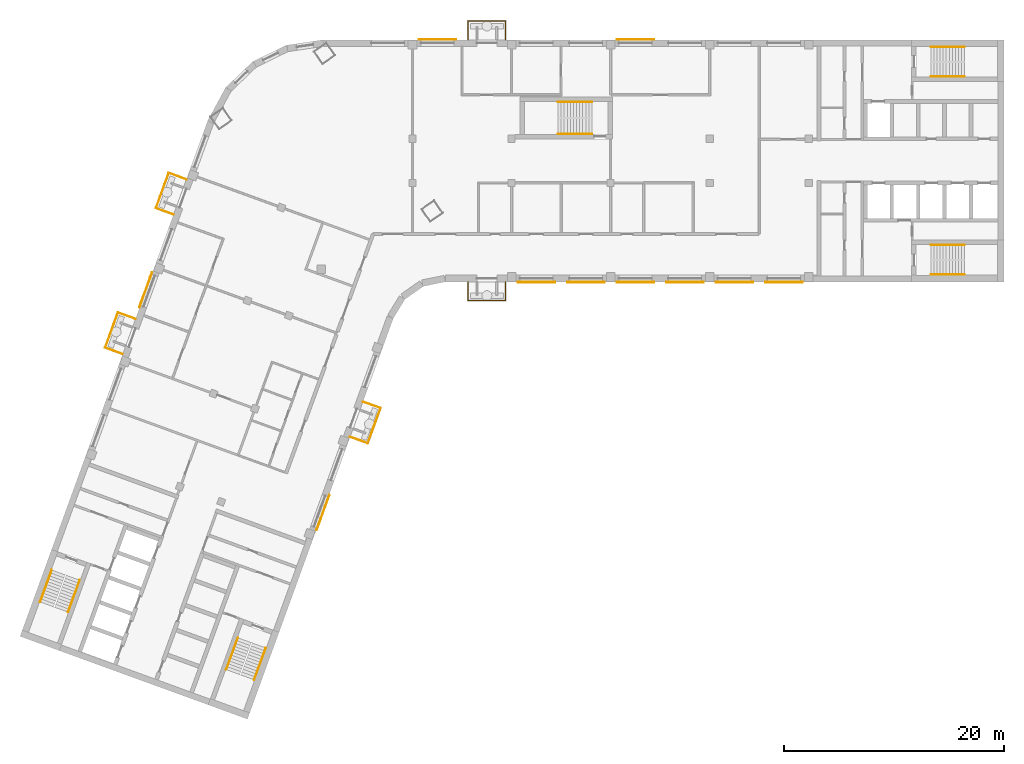
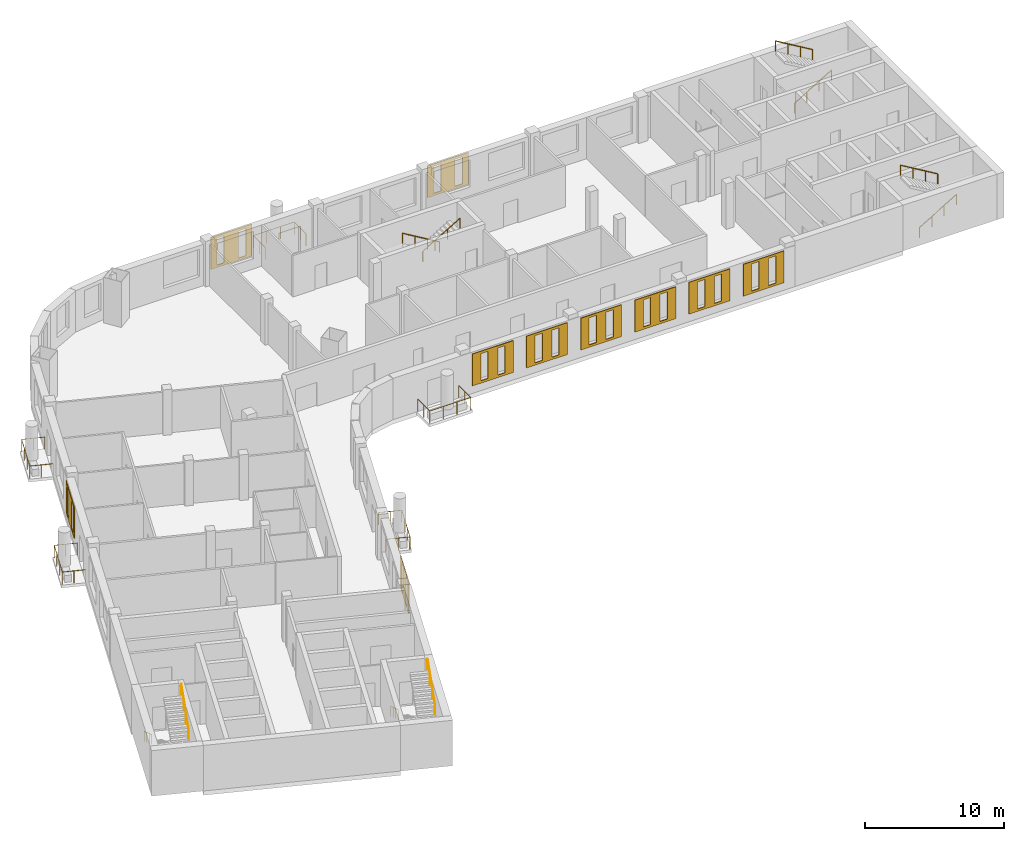
# One storey, part 8 of 10: 15 railings, 10 coverings.
"""IFC4 building model written with IfcOpenShell, lengths in metres."""

from ifc_helpers import new_model, si_unit, direction, frame, origin, origin_2d, place, context, subcontext, project, spatial, polyline, circle, outline, extrude, material, material_profile, profile_set, type_object, element, save


model = new_model("IFC4")

# Units and contexts
model_context = context("Model", 3, precision=1e-05, world=origin(), true_north=direction((0.0, 1.0)))
body_context = subcontext(model_context, "Body", "Model", "MODEL_VIEW")
ifc_project = project(units=[si_unit("LENGTHUNIT", "METRE"), si_unit("AREAUNIT", "SQUARE_METRE"), si_unit("VOLUMEUNIT", "CUBIC_METRE"), si_unit("PLANEANGLEUNIT", "RADIAN"), si_unit("MASSUNIT", "GRAM", prefix="KILO")], contexts=[model_context])

# Site, building, storey
site_placement = place(None, origin())
site = spatial("IfcSite", under=ifc_project, at=site_placement, CompositionType="ELEMENT")
building_placement = place(site_placement, origin())
building = spatial("IfcBuilding", under=site, at=building_placement, Name="Skarvind Civic Tower", CompositionType="ELEMENT")
storey_placement = place(building_placement, frame((0.0, 0.0, 178.5)))
storey = spatial("IfcBuildingStorey", under=building, at=storey_placement, Name="L42", CompositionType="ELEMENT", Elevation=178.5)

# Railings
ifc_material_1 = material(Name="Stainless steel balustrade", Category="steel")
railing_type_1 = type_object("IfcRailingType", Name="GR1 GUARD 1100", PredefinedType="GUARDRAIL", material=ifc_material_1)
railing_1_placement = place(storey_placement, frame((49.735595703125, 106.101806640625, 0.0)))
element("IfcRailing", 1, at=railing_1_placement, inside=storey, type_object=railing_type_1, Name="TREE BALCONY GUARD", PredefinedType="GUARDRAIL", context=body_context, shape_type="SweptSolid", body=[
    extrude(circle(Radius=0.02392578125, at=origin_2d()), frame((0.0, 0.0, 1.076171875), z_axis=(0.93966756638, -0.342088971896, 0.0), x_axis=(0.342088971896, 0.93966756638, 0.0)), (0.0, 0.0, 1.0), 1.699951171875),
    extrude(circle(Radius=0.02392578125, at=origin_2d()), frame((1.597412109375, -0.58154296875, 1.076171875), z_axis=(-0.342002487902, -0.939699046647, 0.0), x_axis=(0.939699046647, -0.342002487902, 0.0)), (0.0, 0.0, 1.0), 3.400146484375),
    extrude(circle(Radius=0.02392578125, at=origin_2d()), frame((0.4345703125, -3.776611328125, 1.076171875), z_axis=(-0.93966756638, 0.342088971896, 0.0), x_axis=(-0.342088971896, -0.93966756638, 0.0)), (0.0, 0.0, 1.0), 1.699951171875),
    extrude(circle(Radius=0.02099609375, at=origin_2d()), origin(), (0.0, 0.0, 1.0), 1.052001953125),
    extrude(circle(Radius=0.02099609375, at=origin_2d()), frame((0.798828125, -0.290771484375, 0.0)), (0.0, 0.0, 1.0), 1.052001953125),
    extrude(circle(Radius=0.02099609375, at=origin_2d()), frame((1.597412109375, -0.58154296875, 0.0)), (0.0, 0.0, 1.0), 1.052001953125),
    extrude(circle(Radius=0.02099609375, at=origin_2d()), frame((1.209716796875, -1.646484375, 0.0)), (0.0, 0.0, 1.0), 1.052001953125),
    extrude(circle(Radius=0.02099609375, at=origin_2d()), frame((0.822265625, -2.711669921875, 0.0)), (0.0, 0.0, 1.0), 1.052001953125),
    extrude(circle(Radius=0.02099609375, at=origin_2d()), frame((0.4345703125, -3.776611328125, 0.0)), (0.0, 0.0, 1.0), 1.052001953125),
    extrude(circle(Radius=0.02099609375, at=origin_2d()), frame((-0.3642578125, -3.48583984375, 0.0)), (0.0, 0.0, 1.0), 1.052001953125),
    extrude(circle(Radius=0.02099609375, at=origin_2d()), frame((-1.162841796875, -3.195068359375, 0.0)), (0.0, 0.0, 1.0), 1.052001953125),
])
railing_2_placement = place(storey_placement, frame((62.699951171875, 117.0, 0.0)))
element("IfcRailing", 2, at=railing_2_placement, inside=storey, type_object=railing_type_1, Name="TREE BALCONY GUARD", PredefinedType="GUARDRAIL", context=body_context, shape_type="SweptSolid", body=[
    extrude(circle(Radius=0.02392578125, at=origin_2d()), frame((0.0, 0.0, 1.076171875), z_axis=(0.0, -1.0, 0.0), x_axis=(1.0, 0.0, 0.0)), (0.0, 0.0, 1.0), 1.699951171875),
    extrude(circle(Radius=0.02392578125, at=origin_2d()), frame((0.0, -1.699951171875, 1.076171875), z_axis=(-1.0, 0.0, 0.0), x_axis=(0.0, -1.0, 0.0)), (0.0, 0.0, 1.0), 3.39990234375),
    extrude(circle(Radius=0.02392578125, at=origin_2d()), frame((-3.39990234375, -1.699951171875, 1.076171875), z_axis=(0.0, 1.0, 0.0), x_axis=(-1.0, 0.0, 0.0)), (0.0, 0.0, 1.0), 1.699951171875),
    extrude(circle(Radius=0.02099609375, at=origin_2d()), origin(), (0.0, 0.0, 1.0), 1.052001953125),
    extrude(circle(Radius=0.02099609375, at=origin_2d()), frame((0.0, -0.85009765625, 0.0)), (0.0, 0.0, 1.0), 1.052001953125),
    extrude(circle(Radius=0.02099609375, at=origin_2d()), frame((0.0, -1.699951171875, 0.0)), (0.0, 0.0, 1.0), 1.052001953125),
    extrude(circle(Radius=0.02099609375, at=origin_2d()), frame((-1.13330078125, -1.699951171875, 0.0)), (0.0, 0.0, 1.0), 1.052001953125),
    extrude(circle(Radius=0.02099609375, at=origin_2d()), frame((-2.2666015625, -1.699951171875, 0.0)), (0.0, 0.0, 1.0), 1.052001953125),
    extrude(circle(Radius=0.02099609375, at=origin_2d()), frame((-3.39990234375, -1.699951171875, 0.0)), (0.0, 0.0, 1.0), 1.052001953125),
    extrude(circle(Radius=0.02099609375, at=origin_2d()), frame((-3.39990234375, -0.85009765625, 0.0)), (0.0, 0.0, 1.0), 1.052001953125),
    extrude(circle(Radius=0.02099609375, at=origin_2d()), frame((-3.39990234375, 0.0, 0.0)), (0.0, 0.0, 1.0), 1.052001953125),
])
railing_3_placement = place(storey_placement, frame((59.300048828125, 139.0, 0.0)))
element("IfcRailing", 3, at=railing_3_placement, inside=storey, type_object=railing_type_1, Name="TREE BALCONY GUARD", PredefinedType="GUARDRAIL", context=body_context, shape_type="SweptSolid", body=[
    extrude(circle(Radius=0.02392578125, at=origin_2d()), frame((0.0, 0.0, 1.076171875), z_axis=(0.0, 1.0, 0.0), x_axis=(-1.0, 0.0, 0.0)), (0.0, 0.0, 1.0), 1.699951171875),
    extrude(circle(Radius=0.02392578125, at=origin_2d()), frame((0.0, 1.699951171875, 1.076171875), z_axis=(1.0, 0.0, 0.0), x_axis=(0.0, 1.0, 0.0)), (0.0, 0.0, 1.0), 3.39990234375),
    extrude(circle(Radius=0.02392578125, at=origin_2d()), frame((3.39990234375, 1.699951171875, 1.076171875), z_axis=(0.0, -1.0, 0.0), x_axis=(1.0, 0.0, 0.0)), (0.0, 0.0, 1.0), 1.699951171875),
    extrude(circle(Radius=0.02099609375, at=origin_2d()), origin(), (0.0, 0.0, 1.0), 1.052001953125),
    extrude(circle(Radius=0.02099609375, at=origin_2d()), frame((0.0, 0.85009765625, 0.0)), (0.0, 0.0, 1.0), 1.052001953125),
    extrude(circle(Radius=0.02099609375, at=origin_2d()), frame((0.0, 1.699951171875, 0.0)), (0.0, 0.0, 1.0), 1.052001953125),
    extrude(circle(Radius=0.02099609375, at=origin_2d()), frame((1.13330078125, 1.699951171875, 0.0)), (0.0, 0.0, 1.0), 1.052001953125),
    extrude(circle(Radius=0.02099609375, at=origin_2d()), frame((2.2666015625, 1.699951171875, 0.0)), (0.0, 0.0, 1.0), 1.052001953125),
    extrude(circle(Radius=0.02099609375, at=origin_2d()), frame((3.39990234375, 1.699951171875, 0.0)), (0.0, 0.0, 1.0), 1.052001953125),
    extrude(circle(Radius=0.02099609375, at=origin_2d()), frame((3.39990234375, 0.85009765625, 0.0)), (0.0, 0.0, 1.0), 1.052001953125),
    extrude(circle(Radius=0.02099609375, at=origin_2d()), frame((3.39990234375, 0.0, 0.0)), (0.0, 0.0, 1.0), 1.052001953125),
])
railing_4_placement = place(storey_placement, frame((27.8994140625, 110.43115234375, 0.0)))
element("IfcRailing", 4, at=railing_4_placement, inside=storey, type_object=railing_type_1, Name="TREE BALCONY GUARD", PredefinedType="GUARDRAIL", context=body_context, shape_type="SweptSolid", body=[
    extrude(circle(Radius=0.02392578125, at=origin_2d()), frame((0.0, 0.0, 1.076171875), z_axis=(-0.93966756638, 0.342088971896, 0.0), x_axis=(-0.342088971896, -0.93966756638, 0.0)), (0.0, 0.0, 1.0), 1.699951171875),
    extrude(circle(Radius=0.02392578125, at=origin_2d()), frame((-1.597412109375, 0.58154296875, 1.076171875), z_axis=(0.342025565686, 0.93969064719, 0.0), x_axis=(-0.93969064719, 0.342025565686, 0.0)), (0.0, 0.0, 1.0), 3.39990234375),
    extrude(circle(Radius=0.02392578125, at=origin_2d()), frame((-0.4345703125, 3.7763671875, 1.076171875), z_axis=(0.939730516252, -0.341916008435, 0.0), x_axis=(0.341916008435, 0.939730516252, 0.0)), (0.0, 0.0, 1.0), 1.7001953125),
    extrude(circle(Radius=0.02099609375, at=origin_2d()), origin(), (0.0, 0.0, 1.0), 1.052001953125),
    extrude(circle(Radius=0.02099609375, at=origin_2d()), frame((-0.798828125, 0.290771484375, 0.0)), (0.0, 0.0, 1.0), 1.052001953125),
    extrude(circle(Radius=0.02099609375, at=origin_2d()), frame((-1.597412109375, 0.58154296875, 0.0)), (0.0, 0.0, 1.0), 1.052001953125),
    extrude(circle(Radius=0.02099609375, at=origin_2d()), frame((-1.209716796875, 1.646484375, 0.0)), (0.0, 0.0, 1.0), 1.052001953125),
    extrude(circle(Radius=0.02099609375, at=origin_2d()), frame((-0.822265625, 2.71142578125, 0.0)), (0.0, 0.0, 1.0), 1.052001953125),
    extrude(circle(Radius=0.02099609375, at=origin_2d()), frame((-0.4345703125, 3.7763671875, 0.0)), (0.0, 0.0, 1.0), 1.052001953125),
    extrude(circle(Radius=0.02099609375, at=origin_2d()), frame((0.3642578125, 3.48583984375, 0.0)), (0.0, 0.0, 1.0), 1.052001953125),
    extrude(circle(Radius=0.02099609375, at=origin_2d()), frame((1.1630859375, 3.195068359375, 0.0)), (0.0, 0.0, 1.0), 1.052001953125),
])
railing_5_placement = place(storey_placement, frame((32.516845703125, 123.1171875, 0.0)))
element("IfcRailing", 5, at=railing_5_placement, inside=storey, type_object=railing_type_1, Name="TREE BALCONY GUARD", PredefinedType="GUARDRAIL", context=body_context, shape_type="SweptSolid", body=[
    extrude(circle(Radius=0.02392578125, at=origin_2d()), frame((0.0, 0.0, 1.076171875), z_axis=(-0.939730516252, 0.341916008435, 0.0), x_axis=(-0.341916008435, -0.939730516252, 0.0)), (0.0, 0.0, 1.0), 1.7001953125),
    extrude(circle(Radius=0.02392578125, at=origin_2d()), frame((-1.59765625, 0.581298828125, 1.076171875), z_axis=(0.342065890968, 0.939675968745, 0.0), x_axis=(-0.939675968745, 0.342065890968, 0.0)), (0.0, 0.0, 1.0), 3.400146484375),
    extrude(circle(Radius=0.02392578125, at=origin_2d()), frame((-0.4345703125, 3.7763671875, 1.076171875), z_axis=(0.93966756638, -0.342088971896, 0.0), x_axis=(0.342088971896, 0.93966756638, 0.0)), (0.0, 0.0, 1.0), 1.699951171875),
    extrude(circle(Radius=0.02099609375, at=origin_2d()), origin(), (0.0, 0.0, 1.0), 1.052001953125),
    extrude(circle(Radius=0.02099609375, at=origin_2d()), frame((-0.798828125, 0.29052734375, 0.0)), (0.0, 0.0, 1.0), 1.052001953125),
    extrude(circle(Radius=0.02099609375, at=origin_2d()), frame((-1.59765625, 0.581298828125, 0.0)), (0.0, 0.0, 1.0), 1.052001953125),
    extrude(circle(Radius=0.02099609375, at=origin_2d()), frame((-1.2099609375, 1.646240234375, 0.0)), (0.0, 0.0, 1.0), 1.052001953125),
    extrude(circle(Radius=0.02099609375, at=origin_2d()), frame((-0.822265625, 2.71142578125, 0.0)), (0.0, 0.0, 1.0), 1.052001953125),
    extrude(circle(Radius=0.02099609375, at=origin_2d()), frame((-0.4345703125, 3.7763671875, 0.0)), (0.0, 0.0, 1.0), 1.052001953125),
    extrude(circle(Radius=0.02099609375, at=origin_2d()), frame((0.3642578125, 3.485595703125, 0.0)), (0.0, 0.0, 1.0), 1.052001953125),
    extrude(circle(Radius=0.02099609375, at=origin_2d()), frame((1.162841796875, 3.19482421875, 0.0)), (0.0, 0.0, 1.0), 1.052001953125),
])
ifc_material_2 = material(Name="Painted steel handrail", Category="steel")
railing_type_2 = type_object("IfcRailingType", Name="Stair handrail 900", PredefinedType="HANDRAIL", material=ifc_material_2)
railing_6_placement = place(storey_placement, frame((101.35009765625, 135.64990234375, 0.166748046875)))
element("IfcRailing", 6, at=railing_6_placement, inside=storey, type_object=railing_type_2, Name="Stair handrail", PredefinedType="HANDRAIL", context=body_context, shape_type="SweptSolid", body=[
    extrude(circle(Radius=0.02392578125, at=origin_2d()), frame((0.0, 0.0, 0.8759765625), z_axis=(0.859290745958, 0.0, 0.51148745235), x_axis=(0.0, 1.0, 0.0)), (0.0, 0.0, 1.0), 3.584228515625),
    extrude(circle(Radius=0.02099609375, at=origin_2d()), origin(), (0.0, 0.0, 1.0), 0.851806640625),
    extrude(circle(Radius=0.02099609375, at=origin_2d()), frame((1.026611328125, 0.0, 0.611083984375)), (0.0, 0.0, 1.0), 0.851806640625),
    extrude(circle(Radius=0.02099609375, at=origin_2d()), frame((2.05322265625, 0.0, 1.22216796875)), (0.0, 0.0, 1.0), 0.851806640625),
    extrude(circle(Radius=0.02099609375, at=origin_2d()), frame((3.079833984375, 0.0, 1.833251953125)), (0.0, 0.0, 1.0), 0.851806640625),
])
railing_7_placement = place(storey_placement, frame((104.429931640625, 138.35009765625, 2.166748046875)))
element("IfcRailing", 7, at=railing_7_placement, inside=storey, type_object=railing_type_2, Name="Stair handrail", PredefinedType="HANDRAIL", context=body_context, shape_type="SweptSolid", body=[
    extrude(circle(Radius=0.02392578125, at=origin_2d()), frame((0.0, 0.0, 0.8759765625), z_axis=(-0.859290745958, 0.0, 0.51148745235), x_axis=(0.0, -1.0, 0.0)), (0.0, 0.0, 1.0), 3.584228515625),
    extrude(circle(Radius=0.02099609375, at=origin_2d()), origin(), (0.0, 0.0, 1.0), 0.851806640625),
    extrude(circle(Radius=0.02099609375, at=origin_2d()), frame((-1.026611328125, 0.0, 0.611083984375)), (0.0, 0.0, 1.0), 0.851806640625),
    extrude(circle(Radius=0.02099609375, at=origin_2d()), frame((-2.05322265625, 0.0, 1.22216796875)), (0.0, 0.0, 1.0), 0.851806640625),
    extrude(circle(Radius=0.02099609375, at=origin_2d()), frame((-3.079833984375, 0.0, 1.833251953125)), (0.0, 0.0, 1.0), 0.851806640625),
])
railing_8_placement = place(storey_placement, frame((101.35009765625, 117.64990234375, 0.166748046875)))
element("IfcRailing", 8, at=railing_8_placement, inside=storey, type_object=railing_type_2, Name="Stair handrail", PredefinedType="HANDRAIL", context=body_context, shape_type="SweptSolid", body=[
    extrude(circle(Radius=0.02392578125, at=origin_2d()), frame((0.0, 0.0, 0.8759765625), z_axis=(0.859290745958, 0.0, 0.51148745235), x_axis=(0.0, 1.0, 0.0)), (0.0, 0.0, 1.0), 3.584228515625),
    extrude(circle(Radius=0.02099609375, at=origin_2d()), origin(), (0.0, 0.0, 1.0), 0.851806640625),
    extrude(circle(Radius=0.02099609375, at=origin_2d()), frame((1.026611328125, 0.0, 0.611083984375)), (0.0, 0.0, 1.0), 0.851806640625),
    extrude(circle(Radius=0.02099609375, at=origin_2d()), frame((2.05322265625, 0.0, 1.22216796875)), (0.0, 0.0, 1.0), 0.851806640625),
    extrude(circle(Radius=0.02099609375, at=origin_2d()), frame((3.079833984375, 0.0, 1.833251953125)), (0.0, 0.0, 1.0), 0.851806640625),
])
railing_9_placement = place(storey_placement, frame((104.429931640625, 120.35009765625, 2.166748046875)))
element("IfcRailing", 9, at=railing_9_placement, inside=storey, type_object=railing_type_2, Name="Stair handrail", PredefinedType="HANDRAIL", context=body_context, shape_type="SweptSolid", body=[
    extrude(circle(Radius=0.02392578125, at=origin_2d()), frame((0.0, 0.0, 0.8759765625), z_axis=(-0.859290745958, 0.0, 0.51148745235), x_axis=(0.0, -1.0, 0.0)), (0.0, 0.0, 1.0), 3.584228515625),
    extrude(circle(Radius=0.02099609375, at=origin_2d()), origin(), (0.0, 0.0, 1.0), 0.851806640625),
    extrude(circle(Radius=0.02099609375, at=origin_2d()), frame((-1.026611328125, 0.0, 0.611083984375)), (0.0, 0.0, 1.0), 0.851806640625),
    extrude(circle(Radius=0.02099609375, at=origin_2d()), frame((-2.05322265625, 0.0, 1.22216796875)), (0.0, 0.0, 1.0), 0.851806640625),
    extrude(circle(Radius=0.02099609375, at=origin_2d()), frame((-3.079833984375, 0.0, 1.833251953125)), (0.0, 0.0, 1.0), 0.851806640625),
])
railing_10_placement = place(storey_placement, frame((38.362060546875, 84.64794921875, 0.166748046875)))
element("IfcRailing", 10, at=railing_10_placement, inside=storey, type_object=railing_type_2, Name="Stair handrail", PredefinedType="HANDRAIL", context=body_context, shape_type="SweptSolid", body=[
    extrude(circle(Radius=0.02392578125, at=origin_2d()), frame((0.0, 0.0, 0.8759765625), z_axis=(-0.293908055923, -0.807480881337, 0.511461319103), x_axis=(0.939689235759, -0.342029443467, 0.0)), (0.0, 0.0, 1.0), 3.584228515625),
    extrude(circle(Radius=0.02099609375, at=origin_2d()), origin(), (0.0, 0.0, 1.0), 0.851806640625),
    extrude(circle(Radius=0.02099609375, at=origin_2d()), frame((-0.35107421875, -0.96484375, 0.611083984375)), (0.0, 0.0, 1.0), 0.851806640625),
    extrude(circle(Radius=0.02099609375, at=origin_2d()), frame((-0.702392578125, -1.929443359375, 1.22216796875)), (0.0, 0.0, 1.0), 0.851806640625),
    extrude(circle(Radius=0.02099609375, at=origin_2d()), frame((-1.053466796875, -2.894287109375, 1.833251953125)), (0.0, 0.0, 1.0), 0.851806640625),
])
railing_11_placement = place(storey_placement, frame((39.845703125, 80.830078125, 2.166748046875)))
element("IfcRailing", 11, at=railing_11_placement, inside=storey, type_object=railing_type_2, Name="Stair handrail", PredefinedType="HANDRAIL", context=body_context, shape_type="SweptSolid", body=[
    extrude(circle(Radius=0.02392578125, at=origin_2d()), frame((0.0, 0.0, 0.8759765625), z_axis=(0.293908055923, 0.807480881337, 0.511461319103), x_axis=(-0.939689235759, 0.342029443467, 0.0)), (0.0, 0.0, 1.0), 3.584228515625),
    extrude(circle(Radius=0.02099609375, at=origin_2d()), origin(), (0.0, 0.0, 1.0), 0.851806640625),
    extrude(circle(Radius=0.02099609375, at=origin_2d()), frame((0.35107421875, 0.96484375, 0.611083984375)), (0.0, 0.0, 1.0), 0.851806640625),
    extrude(circle(Radius=0.02099609375, at=origin_2d()), frame((0.702392578125, 1.929443359375, 1.22216796875)), (0.0, 0.0, 1.0), 0.851806640625),
    extrude(circle(Radius=0.02099609375, at=origin_2d()), frame((1.053466796875, 2.894287109375, 1.833251953125)), (0.0, 0.0, 1.0), 0.851806640625),
])
railing_12_placement = place(storey_placement, frame((21.447509765625, 90.80419921875, 0.166748046875)))
element("IfcRailing", 12, at=railing_12_placement, inside=storey, type_object=railing_type_2, Name="Stair handrail", PredefinedType="HANDRAIL", context=body_context, shape_type="SweptSolid", body=[
    extrude(circle(Radius=0.02392578125, at=origin_2d()), frame((0.0, 0.0, 0.8759765625), z_axis=(-0.293845824691, -0.807497044902, 0.511471557163), x_axis=(0.939714709796, -0.34195944817, 0.0)), (0.0, 0.0, 1.0), 3.584228515625),
    extrude(circle(Radius=0.02099609375, at=origin_2d()), origin(), (0.0, 0.0, 1.0), 0.851806640625),
    extrude(circle(Radius=0.02099609375, at=origin_2d()), frame((-0.35107421875, -0.96484375, 0.611083984375)), (0.0, 0.0, 1.0), 0.851806640625),
    extrude(circle(Radius=0.02099609375, at=origin_2d()), frame((-0.7021484375, -1.929443359375, 1.22216796875)), (0.0, 0.0, 1.0), 0.851806640625),
    extrude(circle(Radius=0.02099609375, at=origin_2d()), frame((-1.05322265625, -2.894287109375, 1.833251953125)), (0.0, 0.0, 1.0), 0.851806640625),
])
railing_13_placement = place(storey_placement, frame((22.931396484375, 86.986572265625, 2.166748046875)))
element("IfcRailing", 13, at=railing_13_placement, inside=storey, type_object=railing_type_2, Name="Stair handrail", PredefinedType="HANDRAIL", context=body_context, shape_type="SweptSolid", body=[
    extrude(circle(Radius=0.02392578125, at=origin_2d()), frame((0.0, 0.0, 0.8759765625), z_axis=(0.293908055923, 0.807480881337, 0.511461319103), x_axis=(-0.939689235759, 0.342029443467, 0.0)), (0.0, 0.0, 1.0), 3.584228515625),
    extrude(circle(Radius=0.02099609375, at=origin_2d()), origin(), (0.0, 0.0, 1.0), 0.851806640625),
    extrude(circle(Radius=0.02099609375, at=origin_2d()), frame((0.35107421875, 0.96484375, 0.611083984375)), (0.0, 0.0, 1.0), 0.851806640625),
    extrude(circle(Radius=0.02099609375, at=origin_2d()), frame((0.702392578125, 1.929443359375, 1.22216796875)), (0.0, 0.0, 1.0), 0.851806640625),
    extrude(circle(Radius=0.02099609375, at=origin_2d()), frame((1.053466796875, 2.894287109375, 1.833251953125)), (0.0, 0.0, 1.0), 0.851806640625),
])
railing_14_placement = place(storey_placement, frame((70.550048828125, 133.35009765625, 0.166748046875)))
element("IfcRailing", 14, at=railing_14_placement, inside=storey, type_object=railing_type_2, Name="Stair handrail", PredefinedType="HANDRAIL", context=body_context, shape_type="SweptSolid", body=[
    extrude(circle(Radius=0.02392578125, at=origin_2d()), frame((0.0, 0.0, 0.8759765625), z_axis=(-0.859308565015, 0.0, 0.511457515432), x_axis=(0.0, -1.0, 0.0)), (0.0, 0.0, 1.0), 3.58447265625),
    extrude(circle(Radius=0.02099609375, at=origin_2d()), origin(), (0.0, 0.0, 1.0), 0.851806640625),
    extrude(circle(Radius=0.02099609375, at=origin_2d()), frame((-1.026611328125, 0.0, 0.611083984375)), (0.0, 0.0, 1.0), 0.851806640625),
    extrude(circle(Radius=0.02099609375, at=origin_2d()), frame((-2.053466796875, 0.0, 1.22216796875)), (0.0, 0.0, 1.0), 0.851806640625),
    extrude(circle(Radius=0.02099609375, at=origin_2d()), frame((-3.080078125, 0.0, 1.833251953125)), (0.0, 0.0, 1.0), 0.851806640625),
])
railing_15_placement = place(storey_placement, frame((67.469970703125, 130.449951171875, 2.166748046875)))
element("IfcRailing", 15, at=railing_15_placement, inside=storey, type_object=railing_type_2, Name="Stair handrail", PredefinedType="HANDRAIL", context=body_context, shape_type="SweptSolid", body=[
    extrude(circle(Radius=0.02392578125, at=origin_2d()), frame((0.0, 0.0, 0.8759765625), z_axis=(0.859308565015, 0.0, 0.511457515432), x_axis=(0.0, 1.0, 0.0)), (0.0, 0.0, 1.0), 3.58447265625),
    extrude(circle(Radius=0.02099609375, at=origin_2d()), origin(), (0.0, 0.0, 1.0), 0.851806640625),
    extrude(circle(Radius=0.02099609375, at=origin_2d()), frame((1.026611328125, 0.0, 0.611083984375)), (0.0, 0.0, 1.0), 0.851806640625),
    extrude(circle(Radius=0.02099609375, at=origin_2d()), frame((2.053466796875, 0.0, 1.22216796875)), (0.0, 0.0, 1.0), 0.851806640625),
    extrude(circle(Radius=0.02099609375, at=origin_2d()), frame((3.080078125, 0.0, 1.833251953125)), (0.0, 0.0, 1.0), 0.851806640625),
])

# Coverings
ifc_material_3 = material(Name="Terracotta", Category="masonry")
ifc_material_profile_1 = material_profile(ifc_material_3, outline(polyline([(-1.699951171875, -1.39990234375), (1.699951171875, -1.39990234375), (1.699951171875, 1.39990234375), (-1.699951171875, 1.39990234375), (-1.699951171875, -1.39990234375)]), holes=[polyline([(-1.0, -1.18994140625), (-0.39990234375, -1.18994140625), (-0.39990234375, 1.18994140625), (-1.0, 1.18994140625), (-1.0, -1.18994140625)]), polyline([(0.39990234375, -1.18994140625), (1.0, -1.18994140625), (1.0, 1.18994140625), (0.39990234375, 1.18994140625), (0.39990234375, -1.18994140625)])]), Name="TERRACOTTA SCREEN 3400 x 2800, SLIT PITCH 1400")
ifc_profile_set_1 = profile_set([ifc_material_profile_1], Name="Terracotta")
covering_type_1 = type_object("IfcCoveringType", Name="TERRACOTTA SCREEN 3400 x 2800, SLIT PITCH 1400", PredefinedType="CLADDING", material=ifc_profile_set_1)
for number, where, z_axis, x_axis, name in (
    (16, (88.0, 117.0, 2.10009765625), (0.0, -1.0, 0.0), (1.0, 0.0, 0.0), "TERRACOTTA SCREEN"),
    (17, (83.5, 117.0, 2.10009765625), (0.0, -1.0, 0.0), (1.0, 0.0, 0.0), "TERRACOTTA SCREEN"),
    (18, (79.0, 117.0, 2.10009765625), (0.0, -1.0, 0.0), (1.0, 0.0, 0.0), "TERRACOTTA SCREEN"),
    (19, (74.5, 117.0, 2.10009765625), (0.0, -1.0, 0.0), (1.0, 0.0, 0.0), "TERRACOTTA SCREEN"),
    (20, (70.0, 117.0, 2.10009765625), (0.0, -1.0, 0.0), (1.0, 0.0, 0.0), "TERRACOTTA SCREEN"),
    (21, (65.5, 117.0, 2.10009765625), (0.0, -1.0, 0.0), (1.0, 0.0, 0.0), "TERRACOTTA SCREEN"),
):
    element("IfcCovering", number, at=place(storey_placement, frame(where, z_axis=z_axis, x_axis=x_axis)), inside=storey, type_object=covering_type_1, Name=name, PredefinedType="CLADDING", context=body_context, shape_type="SweptSolid", body=[
        extrude(outline(polyline([(-1.699951171875, -1.39990234375), (1.699951171875, -1.39990234375), (1.699951171875, 1.39990234375), (-1.699951171875, 1.39990234375), (-1.699951171875, -1.39990234375)]), holes=[polyline([(-1.0, -1.18994140625), (-0.39990234375, -1.18994140625), (-0.39990234375, 1.18994140625), (-1.0, 1.18994140625), (-1.0, -1.18994140625)]), polyline([(0.39990234375, -1.18994140625), (1.0, -1.18994140625), (1.0, 1.18994140625), (0.39990234375, 1.18994140625), (0.39990234375, -1.18994140625)])]), origin(), (0.0, 0.0, 1.0), 0.06005859375),
    ])
ifc_material_profile_2 = material_profile(ifc_material_3, outline(polyline([(-1.699951171875, -1.39990234375), (1.699951171875, -1.39990234375), (1.699951171875, 1.39990234375), (-1.699951171875, 1.39990234375), (-1.699951171875, -1.39990234375)]), holes=[polyline([(-1.199951171875, -1.18994140625), (-0.60009765625, -1.18994140625), (-0.60009765625, 1.18994140625), (-1.199951171875, 1.18994140625), (-1.199951171875, -1.18994140625)]), polyline([(0.60009765625, -1.18994140625), (1.199951171875, -1.18994140625), (1.199951171875, 1.18994140625), (0.60009765625, 1.18994140625), (0.60009765625, -1.18994140625)])]), Name="TERRACOTTA SCREEN 3400 x 2800, SLIT PITCH 1800")
ifc_profile_set_2 = profile_set([ifc_material_profile_2], Name="Terracotta")
covering_type_2 = type_object("IfcCoveringType", Name="TERRACOTTA SCREEN 3400 x 2800, SLIT PITCH 1800", PredefinedType="CLADDING", material=ifc_profile_set_2)
for number, where, z_axis, x_axis, name in (
    (22, (46.075927734375, 96.047119140625, 2.10009765625), (0.939793423488, -0.341743063087, 0.0), (0.341743063087, 0.939793423488, 0.0), "TERRACOTTA SCREEN"),
    (23, (56.5, 139.0, 2.10009765625), (0.0, 1.0, 0.0), (-1.0, 0.0, 0.0), "TERRACOTTA SCREEN"),
    (24, (74.5, 139.0, 2.10009765625), (0.0, 1.0, 0.0), (-1.0, 0.0, 0.0), "TERRACOTTA SCREEN"),
    (25, (30.02001953125, 116.25732421875, 2.10009765625), (-0.939793423488, 0.341743063087, 0.0), (-0.341743063087, -0.939793423488, 0.0), "TERRACOTTA SCREEN"),
):
    element("IfcCovering", number, at=place(storey_placement, frame(where, z_axis=z_axis, x_axis=x_axis)), inside=storey, type_object=covering_type_2, Name=name, PredefinedType="CLADDING", context=body_context, shape_type="SweptSolid", body=[
        extrude(outline(polyline([(-1.699951171875, -1.39990234375), (1.699951171875, -1.39990234375), (1.699951171875, 1.39990234375), (-1.699951171875, 1.39990234375), (-1.699951171875, -1.39990234375)]), holes=[polyline([(-1.199951171875, -1.18994140625), (-0.60009765625, -1.18994140625), (-0.60009765625, 1.18994140625), (-1.199951171875, 1.18994140625), (-1.199951171875, -1.18994140625)]), polyline([(0.60009765625, -1.18994140625), (1.199951171875, -1.18994140625), (1.199951171875, 1.18994140625), (0.60009765625, 1.18994140625), (0.60009765625, -1.18994140625)])]), origin(), (0.0, 0.0, 1.0), 0.06005859375),
    ])

save(model, "model.ifc")
